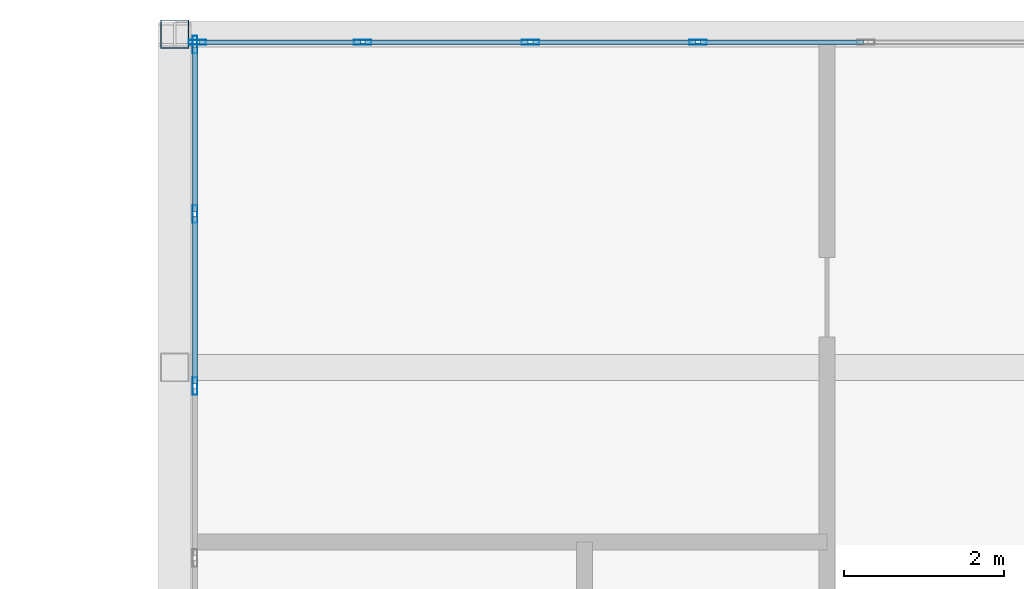
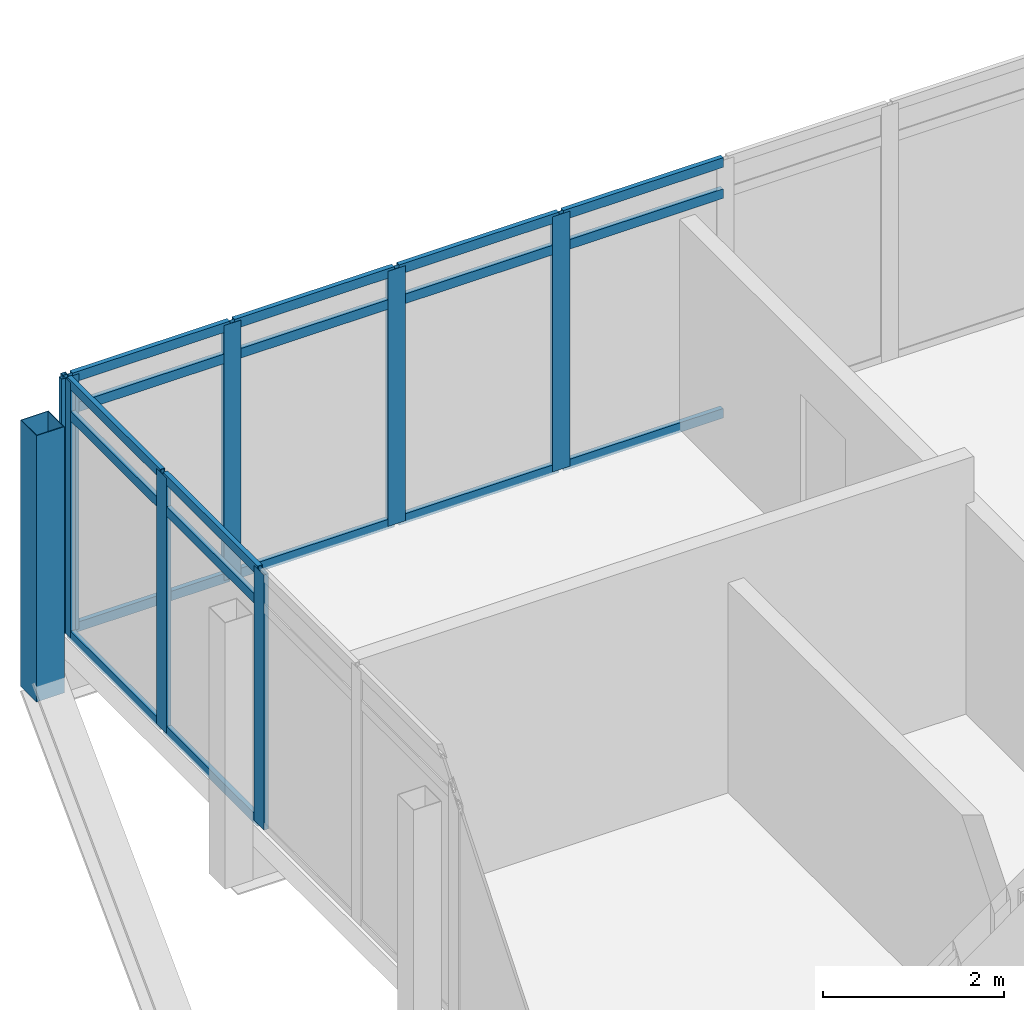
# One storey, part 19 of 34: 26 members, 2 elements without a shape of their own.
"""IFC4 building model written with IfcOpenShell, lengths in metres."""

from ifc_helpers import new_model, si_unit, direction, frame, origin, origin_2d, place, context, subcontext, project, spatial, hollow_rectangle, extrude, material, material_profile, profile_set, type_object, element, aggregate, save


model = new_model("IFC4")

# Units and contexts
model_context = context("Model", 3, precision=1e-05, world=origin(), true_north=direction((0.0, 1.0)))
body_context = subcontext(model_context, "Body", "Model", "MODEL_VIEW")
ifc_project = project(units=[si_unit("LENGTHUNIT", "METRE"), si_unit("AREAUNIT", "SQUARE_METRE"), si_unit("VOLUMEUNIT", "CUBIC_METRE"), si_unit("PLANEANGLEUNIT", "RADIAN"), si_unit("MASSUNIT", "GRAM", prefix="KILO")], contexts=[model_context])

# Site, building, storey
site_placement = place(None, origin())
site = spatial("IfcSite", under=ifc_project, at=site_placement, CompositionType="ELEMENT")
building_placement = place(site_placement, origin())
building = spatial("IfcBuilding", under=site, at=building_placement, Name="Ostrander Bayou Hotel Tower", CompositionType="ELEMENT")
storey_placement = place(building_placement, frame((0.0, 0.0, 222.0)))
storey = spatial("IfcBuildingStorey", under=building, at=storey_placement, Name="L55", CompositionType="ELEMENT", Elevation=222.0)

# Curtain wall, members
ifc_material_1 = material(Name="Aluminium and clear glass", Category="aluminium")
curtain_wall_type = type_object("IfcCurtainWallType", Name="CW-BAR glazed wall", PredefinedType="NOTDEFINED", material=ifc_material_1)
curtain_wall_1_placement = place(storey_placement, origin())
curtain_wall_1 = element("IfcCurtainWall", 1, at=curtain_wall_1_placement, inside=storey, type_object=curtain_wall_type, Name="CW-BAR L55:SB5N:E", PredefinedType="NOTDEFINED")
ifc_material_2 = material(Name="Aluminium", Category="aluminium")
ifc_material_profile_1 = material_profile(ifc_material_2, hollow_rectangle(XDim=0.06005859375, YDim=0.219970703125, WallThickness=0.00390625, at=origin_2d()))
ifc_profile_set_1 = profile_set([ifc_material_profile_1], Name="Aluminium")
member_type_1 = type_object("IfcMemberType", Name="CW-BR mullion 60 x 220 mm", PredefinedType="MULLION", material=ifc_profile_set_1)
member_1_placement = place(storey_placement, frame((-10.51220703125, 24.55517578125, 0.0), z_axis=(0.0, 0.0, 1.0), x_axis=(-1.0, 0.0, 0.0)))
member_1 = element("IfcMember", 2, at=member_1_placement, type_object=member_type_1, Name="CW-BAR mullion 8", PredefinedType="MULLION", context=body_context, shape_type="SweptSolid", body=[
    extrude(hollow_rectangle(XDim=0.06005859375, YDim=0.219970703125, WallThickness=0.00390625, at=origin_2d()), origin(), (0.0, 0.0, 1.0), 3.449951171875),
])
member_2_placement = place(storey_placement, frame((-10.51220703125, 26.7109375, 0.0), z_axis=(0.0, 0.0, 1.0), x_axis=(-1.0, 0.0, 0.0)))
member_2 = element("IfcMember", 3, at=member_2_placement, type_object=member_type_1, Name="CW-BAR mullion 9", PredefinedType="MULLION", context=body_context, shape_type="SweptSolid", body=[
    extrude(hollow_rectangle(XDim=0.06005859375, YDim=0.219970703125, WallThickness=0.00390625, at=origin_2d()), origin(), (0.0, 0.0, 1.0), 3.449951171875),
])
member_3_placement = place(storey_placement, frame((-10.51220703125, 28.836669921875, 0.0), z_axis=(0.0, 0.0, 1.0), x_axis=(-1.0, 0.0, 0.0)))
member_3 = element("IfcMember", 4, at=member_3_placement, type_object=member_type_1, Name="CW-BAR mullion 10", PredefinedType="MULLION", context=body_context, shape_type="SweptSolid", body=[
    extrude(hollow_rectangle(XDim=0.06005859375, YDim=0.219970703125, WallThickness=0.00390625, at=origin_2d()), origin(), (0.0, 0.0, 1.0), 3.449951171875),
])

curtain_wall_2_placement = place(storey_placement, origin())
curtain_wall_2 = element("IfcCurtainWall", 5, at=curtain_wall_2_placement, inside=storey, type_object=curtain_wall_type, Name="CW-BAR L55:SB5N:T", PredefinedType="NOTDEFINED")
member_4_placement = place(storey_placement, frame((-10.482177734375, 28.86669921875, 0.0), z_axis=(0.0, 0.0, 1.0), x_axis=(0.0, 1.0, 0.0)))
member_4 = element("IfcMember", 6, at=member_4_placement, type_object=member_type_1, Name="CW-BAR mullion 1", PredefinedType="MULLION", context=body_context, shape_type="SweptSolid", body=[
    extrude(hollow_rectangle(XDim=0.06005859375, YDim=0.219970703125, WallThickness=0.00390625, at=origin_2d()), origin(), (0.0, 0.0, 1.0), 3.449951171875),
])
member_5_placement = place(storey_placement, frame((-8.40966796875, 28.86669921875, 0.0), z_axis=(0.0, 0.0, 1.0), x_axis=(0.0, 1.0, 0.0)))
member_5 = element("IfcMember", 7, at=member_5_placement, type_object=member_type_1, Name="CW-BAR mullion 2", PredefinedType="MULLION", context=body_context, shape_type="SweptSolid", body=[
    extrude(hollow_rectangle(XDim=0.06005859375, YDim=0.219970703125, WallThickness=0.00390625, at=origin_2d()), origin(), (0.0, 0.0, 1.0), 3.449951171875),
])
member_6_placement = place(storey_placement, frame((-6.307373046875, 28.86669921875, 0.0), z_axis=(0.0, 0.0, 1.0), x_axis=(0.0, 1.0, 0.0)))
member_6 = element("IfcMember", 8, at=member_6_placement, type_object=member_type_1, Name="CW-BAR mullion 3", PredefinedType="MULLION", context=body_context, shape_type="SweptSolid", body=[
    extrude(hollow_rectangle(XDim=0.06005859375, YDim=0.219970703125, WallThickness=0.00390625, at=origin_2d()), origin(), (0.0, 0.0, 1.0), 3.449951171875),
])
member_7_placement = place(storey_placement, frame((-4.204833984375, 28.86669921875, 0.0), z_axis=(0.0, 0.0, 1.0), x_axis=(0.0, 1.0, 0.0)))
member_7 = element("IfcMember", 9, at=member_7_placement, type_object=member_type_1, Name="CW-BAR mullion 4", PredefinedType="MULLION", context=body_context, shape_type="SweptSolid", body=[
    extrude(hollow_rectangle(XDim=0.06005859375, YDim=0.219970703125, WallThickness=0.00390625, at=origin_2d()), origin(), (0.0, 0.0, 1.0), 3.449951171875),
])

# Member
ifc_material_3 = material(Name="Aluminium", Category="aluminium")
ifc_material_profile_2 = material_profile(ifc_material_3, hollow_rectangle(XDim=0.06005859375, YDim=0.1298828125, WallThickness=0.00390625, at=origin_2d()))
ifc_profile_set_2 = profile_set([ifc_material_profile_2], Name="Aluminium")
member_type_2 = type_object("IfcMemberType", Name="CW-BR transom 60 x 130 mm", PredefinedType="USERDEFINED", material=ifc_profile_set_2)
member_8_placement = place(storey_placement, frame((-10.51220703125, 24.585205078125, 0.030029296875), z_axis=(0.0, 1.0, 0.0), x_axis=(-1.0, 0.0, 0.0)))
member_8 = element("IfcMember", 10, at=member_8_placement, type_object=member_type_2, Name="CW-BAR transom 8.1", ObjectType="TRANSOM", PredefinedType="USERDEFINED", context=body_context, shape_type="SweptSolid", body=[
    extrude(hollow_rectangle(XDim=0.06005859375, YDim=0.1298828125, WallThickness=0.00390625, at=origin_2d()), origin(), (0.0, 0.0, 1.0), 2.095703125),
])

member_9_placement = place(storey_placement, frame((-10.51220703125, 24.585205078125, 3.0), z_axis=(0.0, 1.0, 0.0), x_axis=(-1.0, 0.0, 0.0)))
member_9 = element("IfcMember", 11, at=member_9_placement, type_object=member_type_2, Name="CW-BAR transom 8.2", ObjectType="TRANSOM", PredefinedType="USERDEFINED", context=body_context, shape_type="SweptSolid", body=[
    extrude(hollow_rectangle(XDim=0.06005859375, YDim=0.1298828125, WallThickness=0.00390625, at=origin_2d()), origin(), (0.0, 0.0, 1.0), 2.095703125),
])

member_10_placement = place(storey_placement, frame((-10.51220703125, 24.585205078125, 3.419921875), z_axis=(0.0, 1.0, 0.0), x_axis=(-1.0, 0.0, 0.0)))
member_10 = element("IfcMember", 12, at=member_10_placement, type_object=member_type_2, Name="CW-BAR transom 8.3", ObjectType="TRANSOM", PredefinedType="USERDEFINED", context=body_context, shape_type="SweptSolid", body=[
    extrude(hollow_rectangle(XDim=0.06005859375, YDim=0.1298828125, WallThickness=0.00390625, at=origin_2d()), origin(), (0.0, 0.0, 1.0), 2.095703125),
])

member_11_placement = place(storey_placement, frame((-10.51220703125, 26.740966796875, 0.030029296875), z_axis=(0.0, 1.0, 0.0), x_axis=(-1.0, 0.0, 0.0)))
member_11 = element("IfcMember", 13, at=member_11_placement, type_object=member_type_2, Name="CW-BAR transom 9.1", ObjectType="TRANSOM", PredefinedType="USERDEFINED", context=body_context, shape_type="SweptSolid", body=[
    extrude(hollow_rectangle(XDim=0.06005859375, YDim=0.1298828125, WallThickness=0.00390625, at=origin_2d()), origin(), (0.0, 0.0, 1.0), 2.065673828125),
])

member_12_placement = place(storey_placement, frame((-10.51220703125, 26.740966796875, 3.0), z_axis=(0.0, 1.0, 0.0), x_axis=(-1.0, 0.0, 0.0)))
member_12 = element("IfcMember", 14, at=member_12_placement, type_object=member_type_2, Name="CW-BAR transom 9.2", ObjectType="TRANSOM", PredefinedType="USERDEFINED", context=body_context, shape_type="SweptSolid", body=[
    extrude(hollow_rectangle(XDim=0.06005859375, YDim=0.1298828125, WallThickness=0.00390625, at=origin_2d()), origin(), (0.0, 0.0, 1.0), 2.065673828125),
])

member_13_placement = place(storey_placement, frame((-10.51220703125, 26.740966796875, 3.419921875), z_axis=(0.0, 1.0, 0.0), x_axis=(-1.0, 0.0, 0.0)))
member_13 = element("IfcMember", 15, at=member_13_placement, type_object=member_type_2, Name="CW-BAR transom 9.3", ObjectType="TRANSOM", PredefinedType="USERDEFINED", context=body_context, shape_type="SweptSolid", body=[
    extrude(hollow_rectangle(XDim=0.06005859375, YDim=0.1298828125, WallThickness=0.00390625, at=origin_2d()), origin(), (0.0, 0.0, 1.0), 2.065673828125),
])

aggregate(curtain_wall_1, [member_1, member_2, member_3, member_8, member_9, member_10, member_11, member_12, member_13])

member_14_placement = place(storey_placement, frame((-10.4521484375, 28.86669921875, 0.030029296875), z_axis=(1.0, 0.0, 0.0), x_axis=(0.0, 1.0, 0.0)))
member_14 = element("IfcMember", 16, at=member_14_placement, type_object=member_type_2, Name="CW-BAR transom 1.1", ObjectType="TRANSOM", PredefinedType="USERDEFINED", context=body_context, shape_type="SweptSolid", body=[
    extrude(hollow_rectangle(XDim=0.06005859375, YDim=0.1298828125, WallThickness=0.00390625, at=origin_2d()), origin(), (0.0, 0.0, 1.0), 2.012451171875),
])

member_15_placement = place(storey_placement, frame((-10.4521484375, 28.86669921875, 3.0), z_axis=(1.0, 0.0, 0.0), x_axis=(0.0, 1.0, 0.0)))
member_15 = element("IfcMember", 17, at=member_15_placement, type_object=member_type_2, Name="CW-BAR transom 1.2", ObjectType="TRANSOM", PredefinedType="USERDEFINED", context=body_context, shape_type="SweptSolid", body=[
    extrude(hollow_rectangle(XDim=0.06005859375, YDim=0.1298828125, WallThickness=0.00390625, at=origin_2d()), origin(), (0.0, 0.0, 1.0), 2.012451171875),
])

member_16_placement = place(storey_placement, frame((-10.4521484375, 28.86669921875, 3.419921875), z_axis=(1.0, 0.0, 0.0), x_axis=(0.0, 1.0, 0.0)))
member_16 = element("IfcMember", 18, at=member_16_placement, type_object=member_type_2, Name="CW-BAR transom 1.3", ObjectType="TRANSOM", PredefinedType="USERDEFINED", context=body_context, shape_type="SweptSolid", body=[
    extrude(hollow_rectangle(XDim=0.06005859375, YDim=0.1298828125, WallThickness=0.00390625, at=origin_2d()), origin(), (0.0, 0.0, 1.0), 2.012451171875),
])

member_17_placement = place(storey_placement, frame((-8.379638671875, 28.86669921875, 0.030029296875), z_axis=(1.0, 0.0, 0.0), x_axis=(0.0, 1.0, 0.0)))
member_17 = element("IfcMember", 19, at=member_17_placement, type_object=member_type_2, Name="CW-BAR transom 2.1", ObjectType="TRANSOM", PredefinedType="USERDEFINED", context=body_context, shape_type="SweptSolid", body=[
    extrude(hollow_rectangle(XDim=0.06005859375, YDim=0.1298828125, WallThickness=0.00390625, at=origin_2d()), origin(), (0.0, 0.0, 1.0), 2.042236328125),
])

member_18_placement = place(storey_placement, frame((-8.379638671875, 28.86669921875, 3.0), z_axis=(1.0, 0.0, 0.0), x_axis=(0.0, 1.0, 0.0)))
member_18 = element("IfcMember", 20, at=member_18_placement, type_object=member_type_2, Name="CW-BAR transom 2.2", ObjectType="TRANSOM", PredefinedType="USERDEFINED", context=body_context, shape_type="SweptSolid", body=[
    extrude(hollow_rectangle(XDim=0.06005859375, YDim=0.1298828125, WallThickness=0.00390625, at=origin_2d()), origin(), (0.0, 0.0, 1.0), 2.042236328125),
])

member_19_placement = place(storey_placement, frame((-8.379638671875, 28.86669921875, 3.419921875), z_axis=(1.0, 0.0, 0.0), x_axis=(0.0, 1.0, 0.0)))
member_19 = element("IfcMember", 21, at=member_19_placement, type_object=member_type_2, Name="CW-BAR transom 2.3", ObjectType="TRANSOM", PredefinedType="USERDEFINED", context=body_context, shape_type="SweptSolid", body=[
    extrude(hollow_rectangle(XDim=0.06005859375, YDim=0.1298828125, WallThickness=0.00390625, at=origin_2d()), origin(), (0.0, 0.0, 1.0), 2.042236328125),
])

member_20_placement = place(storey_placement, frame((-6.27734375, 28.86669921875, 0.030029296875), z_axis=(1.0, 0.0, 0.0), x_axis=(0.0, 1.0, 0.0)))
member_20 = element("IfcMember", 22, at=member_20_placement, type_object=member_type_2, Name="CW-BAR transom 3.1", ObjectType="TRANSOM", PredefinedType="USERDEFINED", context=body_context, shape_type="SweptSolid", body=[
    extrude(hollow_rectangle(XDim=0.06005859375, YDim=0.1298828125, WallThickness=0.00390625, at=origin_2d()), origin(), (0.0, 0.0, 1.0), 2.04248046875),
])

member_21_placement = place(storey_placement, frame((-6.27734375, 28.86669921875, 3.0), z_axis=(1.0, 0.0, 0.0), x_axis=(0.0, 1.0, 0.0)))
member_21 = element("IfcMember", 23, at=member_21_placement, type_object=member_type_2, Name="CW-BAR transom 3.2", ObjectType="TRANSOM", PredefinedType="USERDEFINED", context=body_context, shape_type="SweptSolid", body=[
    extrude(hollow_rectangle(XDim=0.06005859375, YDim=0.1298828125, WallThickness=0.00390625, at=origin_2d()), origin(), (0.0, 0.0, 1.0), 2.04248046875),
])

member_22_placement = place(storey_placement, frame((-6.27734375, 28.86669921875, 3.419921875), z_axis=(1.0, 0.0, 0.0), x_axis=(0.0, 1.0, 0.0)))
member_22 = element("IfcMember", 24, at=member_22_placement, type_object=member_type_2, Name="CW-BAR transom 3.3", ObjectType="TRANSOM", PredefinedType="USERDEFINED", context=body_context, shape_type="SweptSolid", body=[
    extrude(hollow_rectangle(XDim=0.06005859375, YDim=0.1298828125, WallThickness=0.00390625, at=origin_2d()), origin(), (0.0, 0.0, 1.0), 2.04248046875),
])

member_23_placement = place(storey_placement, frame((-4.1748046875, 28.86669921875, 0.030029296875), z_axis=(1.0, 0.0, 0.0), x_axis=(0.0, 1.0, 0.0)))
member_23 = element("IfcMember", 25, at=member_23_placement, type_object=member_type_2, Name="CW-BAR transom 4.1", ObjectType="TRANSOM", PredefinedType="USERDEFINED", context=body_context, shape_type="SweptSolid", body=[
    extrude(hollow_rectangle(XDim=0.06005859375, YDim=0.1298828125, WallThickness=0.00390625, at=origin_2d()), origin(), (0.0, 0.0, 1.0), 2.04248046875),
])

member_24_placement = place(storey_placement, frame((-4.1748046875, 28.86669921875, 3.0), z_axis=(1.0, 0.0, 0.0), x_axis=(0.0, 1.0, 0.0)))
member_24 = element("IfcMember", 26, at=member_24_placement, type_object=member_type_2, Name="CW-BAR transom 4.2", ObjectType="TRANSOM", PredefinedType="USERDEFINED", context=body_context, shape_type="SweptSolid", body=[
    extrude(hollow_rectangle(XDim=0.06005859375, YDim=0.1298828125, WallThickness=0.00390625, at=origin_2d()), origin(), (0.0, 0.0, 1.0), 2.04248046875),
])

member_25_placement = place(storey_placement, frame((-4.1748046875, 28.86669921875, 3.419921875), z_axis=(1.0, 0.0, 0.0), x_axis=(0.0, 1.0, 0.0)))
member_25 = element("IfcMember", 27, at=member_25_placement, type_object=member_type_2, Name="CW-BAR transom 4.3", ObjectType="TRANSOM", PredefinedType="USERDEFINED", context=body_context, shape_type="SweptSolid", body=[
    extrude(hollow_rectangle(XDim=0.06005859375, YDim=0.1298828125, WallThickness=0.00390625, at=origin_2d()), origin(), (0.0, 0.0, 1.0), 2.04248046875),
])

aggregate(curtain_wall_2, [member_4, member_5, member_6, member_7, member_14, member_15, member_16, member_17, member_18, member_19, member_20, member_21, member_22, member_23, member_24, member_25])

ifc_material_4 = material(Name="Steel ASTM A500 Gr C", Category="steel")
ifc_material_profile_3 = material_profile(ifc_material_4, hollow_rectangle(XDim=0.355712890625, YDim=0.355712890625, WallThickness=0.0087890625, at=origin_2d()))
ifc_profile_set_3 = profile_set([ifc_material_profile_3], Name="Steel ASTM A500 Gr C")
member_type_3 = type_object("IfcMemberType", Name="TH3 bar hanger HSS14x14x3/8", PredefinedType="POST", material=ifc_profile_set_3)
member_26_placement = place(storey_placement, frame((-10.764892578125, 28.966552734375, -0.760986328125), z_axis=(0.0, 0.0, 1.0), x_axis=(1.0, 0.0, 0.0)))
element("IfcMember", 28, at=member_26_placement, inside=storey, type_object=member_type_3, Name="TH3 SB5WA H1-1", PredefinedType="POST", context=body_context, shape_type="SweptSolid", body=[
    extrude(hollow_rectangle(XDim=0.355712890625, YDim=0.355712890625, WallThickness=0.0087890625, at=origin_2d()), origin(), (0.0, 0.0, 1.0), 3.599853515625),
])

save(model, "model.ifc")
